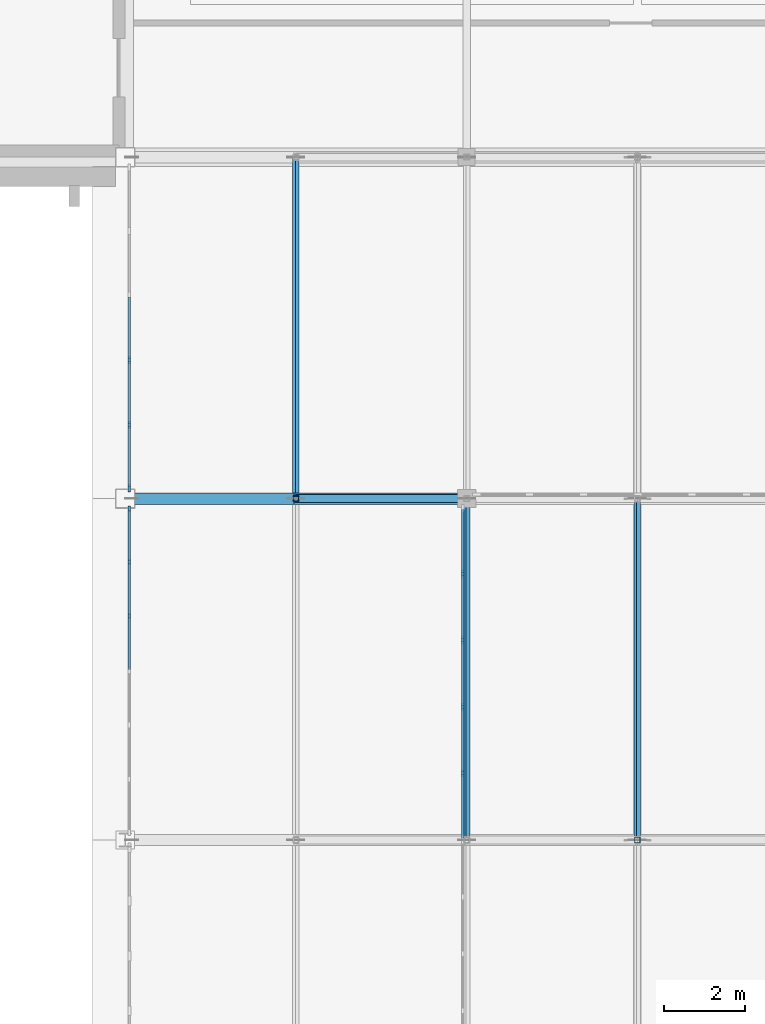
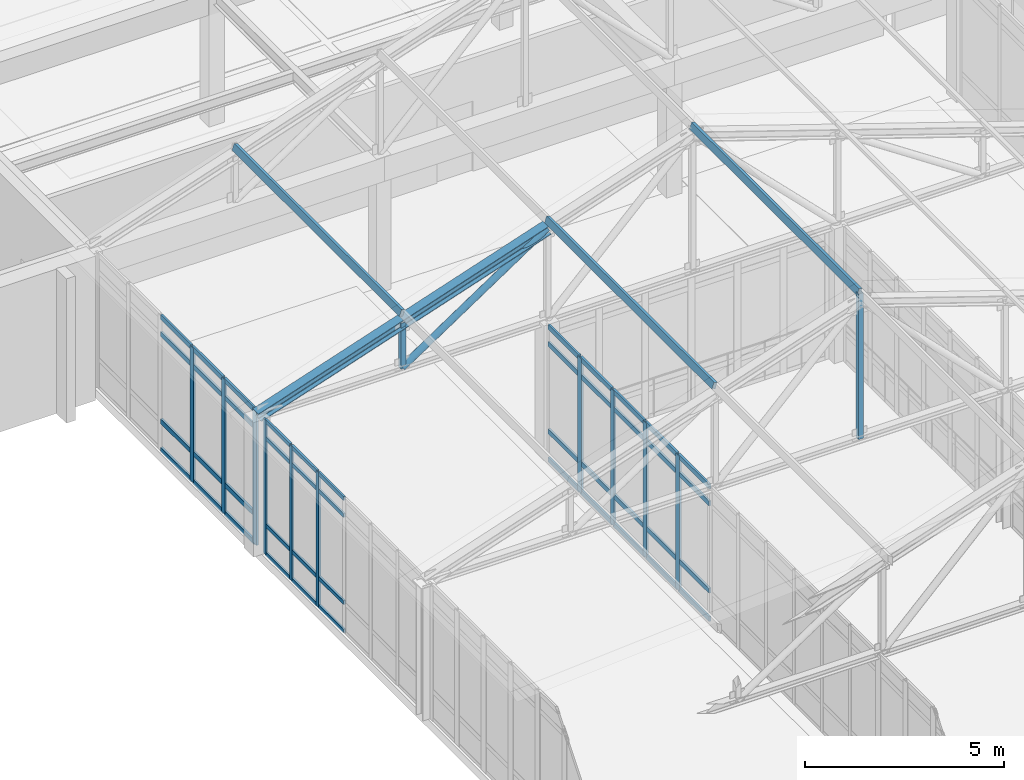
# One storey, part 77 of 192: 62 members, 3 elements without a shape of their own.
"""IFC4 building model written with IfcOpenShell, lengths in metres."""

from ifc_helpers import new_model, si_unit, direction, frame, origin, origin_2d, place, context, subcontext, project, spatial, rectangle, hollow_rectangle, hollow_circle, i_section, extrude, material, layer, layer_set, material_profile, profile_set, type_object, element, aggregate, save


model = new_model("IFC4")

# Units and contexts
model_context = context("Model", 3, precision=1e-05, world=origin(), true_north=direction((0.0, 1.0)))
body_context = subcontext(model_context, "Body", "Model", "MODEL_VIEW")
ifc_project = project(units=[si_unit("LENGTHUNIT", "METRE"), si_unit("AREAUNIT", "SQUARE_METRE"), si_unit("VOLUMEUNIT", "CUBIC_METRE"), si_unit("PLANEANGLEUNIT", "RADIAN"), si_unit("MASSUNIT", "GRAM", prefix="KILO")], contexts=[model_context])

# Site, building, storey
site_placement = place(None, origin())
site = spatial("IfcSite", under=ifc_project, at=site_placement, CompositionType="ELEMENT")
building_placement = place(site_placement, origin())
building = spatial("IfcBuilding", under=site, at=building_placement, Name="Kveldsbrygga Polytechnic", CompositionType="ELEMENT")
storey_placement = place(building_placement, frame((0.0, 0.0, 5.43994140625)))
storey = spatial("IfcBuildingStorey", under=building, at=storey_placement, Name="L01", CompositionType="ELEMENT", Elevation=5.43994140625)

# Curtain wall, members
ifc_material_1 = material(Name="Anodised aluminium AW-6060", Category="aluminium")
ifc_layer_1 = layer(ifc_material_1, 0.179931640625)
ifc_layer_set_1 = layer_set([ifc_layer_1], Name="Anodised aluminium AW-6060")
curtain_wall_type_1 = type_object("IfcCurtainWallType", Name="CW-CONC-A", PredefinedType="USERDEFINED", material=ifc_layer_set_1)
curtain_wall_1_placement = place(storey_placement, origin())
curtain_wall_1 = element("IfcCurtainWall", 1, at=curtain_wall_1_placement, inside=storey, type_object=curtain_wall_type_1, Name="Curtain Wall CW-L01-Y-06-08", ObjectType="UNITISED CURTAIN WALL", PredefinedType="USERDEFINED")
ifc_material_profile_1 = material_profile(ifc_material_1, rectangle(XDim=0.06005859375, YDim=0.139892578125, at=origin_2d()), Name="ALU 60x140")
ifc_profile_set_1 = profile_set([ifc_material_profile_1], Name="Anodised aluminium AW-6060")
member_type_1 = type_object("IfcMemberType", Name="CW-MUL-140", PredefinedType="MULLION", material=ifc_profile_set_1)
member_1_placement = place(storey_placement, frame((50.5, 72.70166015625, 0.0), z_axis=(0.0, 0.0, 1.0), x_axis=(-1.0, 0.0, 0.0)))
member_1 = element("IfcMember", 2, at=member_1_placement, type_object=member_type_1, Name="CW-01 mullion 5", PredefinedType="MULLION", context=body_context, shape_type="SweptSolid", body=[
    extrude(rectangle(XDim=0.06005859375, YDim=0.139892578125, at=origin_2d()), origin(), (0.0, 0.0, 1.0), 4.1201171875),
])
member_2_placement = place(storey_placement, frame((50.5, 74.038330078125, 0.0), z_axis=(0.0, 0.0, 1.0), x_axis=(-1.0, 0.0, 0.0)))
member_2 = element("IfcMember", 3, at=member_2_placement, type_object=member_type_1, Name="CW-01 mullion 6", PredefinedType="MULLION", context=body_context, shape_type="SweptSolid", body=[
    extrude(rectangle(XDim=0.06005859375, YDim=0.139892578125, at=origin_2d()), origin(), (0.0, 0.0, 1.0), 4.1201171875),
])
member_3_placement = place(storey_placement, frame((50.5, 75.344970703125, 0.0), z_axis=(0.0, 0.0, 1.0), x_axis=(-1.0, 0.0, 0.0)))
member_3 = element("IfcMember", 4, at=member_3_placement, type_object=member_type_1, Name="CW-01 mullion 7", PredefinedType="MULLION", context=body_context, shape_type="SweptSolid", body=[
    extrude(rectangle(XDim=0.06005859375, YDim=0.139892578125, at=origin_2d()), origin(), (0.0, 0.0, 1.0), 4.1201171875),
])

ifc_layer_2 = layer(ifc_material_1, 0.199951171875)
ifc_layer_set_2 = layer_set([ifc_layer_2], Name="Anodised aluminium AW-6060")
curtain_wall_type_2 = type_object("IfcCurtainWallType", Name="CW-CONC-B", PredefinedType="USERDEFINED", material=ifc_layer_set_2)
curtain_wall_2_placement = place(storey_placement, origin())
curtain_wall_2 = element("IfcCurtainWall", 5, at=curtain_wall_2_placement, inside=storey, type_object=curtain_wall_type_2, Name="Curtain Wall CW-L01-Y-07-08", ObjectType="UNITISED CURTAIN WALL", PredefinedType="USERDEFINED")
ifc_material_profile_2 = material_profile(ifc_material_1, rectangle(XDim=0.06005859375, YDim=0.179931640625, at=origin_2d()), Name="ALU 60x180")
ifc_profile_set_2 = profile_set([ifc_material_profile_2], Name="Anodised aluminium AW-6060")
member_type_2 = type_object("IfcMemberType", Name="CW-MUL-180", PredefinedType="MULLION", material=ifc_profile_set_2)
member_4_placement = place(storey_placement, frame((58.699951171875, 68.837890625, 0.0), z_axis=(0.0, 0.0, 1.0), x_axis=(-1.0, 0.0, 0.0)))
member_4 = element("IfcMember", 6, at=member_4_placement, type_object=member_type_2, Name="CW-02 mullion 2", PredefinedType="MULLION", context=body_context, shape_type="SweptSolid", body=[
    extrude(rectangle(XDim=0.06005859375, YDim=0.179931640625, at=origin_2d()), origin(), (0.0, 0.0, 1.0), 4.1201171875),
])
member_5_placement = place(storey_placement, frame((58.699951171875, 70.47607421875, 0.0), z_axis=(0.0, 0.0, 1.0), x_axis=(-1.0, 0.0, 0.0)))
member_5 = element("IfcMember", 7, at=member_5_placement, type_object=member_type_2, Name="CW-02 mullion 3", PredefinedType="MULLION", context=body_context, shape_type="SweptSolid", body=[
    extrude(rectangle(XDim=0.06005859375, YDim=0.179931640625, at=origin_2d()), origin(), (0.0, 0.0, 1.0), 4.1201171875),
])
member_6_placement = place(storey_placement, frame((58.699951171875, 72.114013671875, 0.0), z_axis=(0.0, 0.0, 1.0), x_axis=(-1.0, 0.0, 0.0)))
member_6 = element("IfcMember", 8, at=member_6_placement, type_object=member_type_2, Name="CW-02 mullion 4", PredefinedType="MULLION", context=body_context, shape_type="SweptSolid", body=[
    extrude(rectangle(XDim=0.06005859375, YDim=0.179931640625, at=origin_2d()), origin(), (0.0, 0.0, 1.0), 4.1201171875),
])
member_7_placement = place(storey_placement, frame((58.699951171875, 73.751953125, 0.0), z_axis=(0.0, 0.0, 1.0), x_axis=(-1.0, 0.0, 0.0)))
member_7 = element("IfcMember", 9, at=member_7_placement, type_object=member_type_2, Name="CW-02 mullion 5", PredefinedType="MULLION", context=body_context, shape_type="SweptSolid", body=[
    extrude(rectangle(XDim=0.06005859375, YDim=0.179931640625, at=origin_2d()), origin(), (0.0, 0.0, 1.0), 4.1201171875),
])

curtain_wall_3_placement = place(storey_placement, origin())
curtain_wall_3 = element("IfcCurtainWall", 10, at=curtain_wall_3_placement, inside=storey, type_object=curtain_wall_type_2, Name="Curtain Wall CW-L01-Y-06-09", ObjectType="UNITISED CURTAIN WALL", PredefinedType="USERDEFINED")
member_8_placement = place(storey_placement, frame((50.5, 75.85498046875, 0.0), z_axis=(0.0, 0.0, 1.0), x_axis=(-1.0, 0.0, 0.0)))
member_8 = element("IfcMember", 11, at=member_8_placement, type_object=member_type_2, Name="CW-02 mullion 1", PredefinedType="MULLION", context=body_context, shape_type="SweptSolid", body=[
    extrude(rectangle(XDim=0.06005859375, YDim=0.179931640625, at=origin_2d()), origin(), (0.0, 0.0, 1.0), 4.1201171875),
])
member_9_placement = place(storey_placement, frame((50.5, 77.4150390625, 0.0), z_axis=(0.0, 0.0, 1.0), x_axis=(-1.0, 0.0, 0.0)))
member_9 = element("IfcMember", 12, at=member_9_placement, type_object=member_type_2, Name="CW-02 mullion 2", PredefinedType="MULLION", context=body_context, shape_type="SweptSolid", body=[
    extrude(rectangle(XDim=0.06005859375, YDim=0.179931640625, at=origin_2d()), origin(), (0.0, 0.0, 1.0), 4.1201171875),
])
member_10_placement = place(storey_placement, frame((50.5, 79.0048828125, 0.0), z_axis=(0.0, 0.0, 1.0), x_axis=(-1.0, 0.0, 0.0)))
member_10 = element("IfcMember", 13, at=member_10_placement, type_object=member_type_2, Name="CW-02 mullion 3", PredefinedType="MULLION", context=body_context, shape_type="SweptSolid", body=[
    extrude(rectangle(XDim=0.06005859375, YDim=0.179931640625, at=origin_2d()), origin(), (0.0, 0.0, 1.0), 4.1201171875),
])

# Member
ifc_material_profile_3 = material_profile(ifc_material_1, rectangle(XDim=0.06005859375, YDim=0.1201171875, at=origin_2d()), Name="ALU 60x120")
ifc_profile_set_3 = profile_set([ifc_material_profile_3], Name="Anodised aluminium AW-6060")
member_type_3 = type_object("IfcMemberType", Name="CW-TRN-120", PredefinedType="USERDEFINED", material=ifc_profile_set_3)
member_11_placement = place(storey_placement, frame((50.5, 71.39501953125, 0.030029296875), z_axis=(0.0, 1.0, 0.0), x_axis=(-1.0, 0.0, 0.0)))
member_11 = element("IfcMember", 14, at=member_11_placement, type_object=member_type_3, Name="CW-01 transom 4.1", ObjectType="TRANSOM", PredefinedType="USERDEFINED", context=body_context, shape_type="SweptSolid", body=[
    extrude(rectangle(XDim=0.06005859375, YDim=0.1201171875, at=origin_2d()), origin(), (0.0, 0.0, 1.0), 1.276611328125),
])

member_12_placement = place(storey_placement, frame((50.5, 71.39501953125, 0.900146484375), z_axis=(0.0, 1.0, 0.0), x_axis=(-1.0, 0.0, 0.0)))
member_12 = element("IfcMember", 15, at=member_12_placement, type_object=member_type_3, Name="CW-01 transom 4.2", ObjectType="TRANSOM", PredefinedType="USERDEFINED", context=body_context, shape_type="SweptSolid", body=[
    extrude(rectangle(XDim=0.06005859375, YDim=0.1201171875, at=origin_2d()), origin(), (0.0, 0.0, 1.0), 1.276611328125),
])

member_13_placement = place(storey_placement, frame((50.5, 71.39501953125, 3.570068359375), z_axis=(0.0, 1.0, 0.0), x_axis=(-1.0, 0.0, 0.0)))
member_13 = element("IfcMember", 16, at=member_13_placement, type_object=member_type_3, Name="CW-01 transom 4.3", ObjectType="TRANSOM", PredefinedType="USERDEFINED", context=body_context, shape_type="SweptSolid", body=[
    extrude(rectangle(XDim=0.06005859375, YDim=0.1201171875, at=origin_2d()), origin(), (0.0, 0.0, 1.0), 1.276611328125),
])

member_14_placement = place(storey_placement, frame((50.5, 71.39501953125, 4.090087890625), z_axis=(0.0, 1.0, 0.0), x_axis=(-1.0, 0.0, 0.0)))
member_14 = element("IfcMember", 17, at=member_14_placement, type_object=member_type_3, Name="CW-01 transom 4.4", ObjectType="TRANSOM", PredefinedType="USERDEFINED", context=body_context, shape_type="SweptSolid", body=[
    extrude(rectangle(XDim=0.06005859375, YDim=0.1201171875, at=origin_2d()), origin(), (0.0, 0.0, 1.0), 1.276611328125),
])

member_15_placement = place(storey_placement, frame((50.5, 72.731689453125, 0.030029296875), z_axis=(0.0, 1.0, 0.0), x_axis=(-1.0, 0.0, 0.0)))
member_15 = element("IfcMember", 18, at=member_15_placement, type_object=member_type_3, Name="CW-01 transom 5.1", ObjectType="TRANSOM", PredefinedType="USERDEFINED", context=body_context, shape_type="SweptSolid", body=[
    extrude(rectangle(XDim=0.06005859375, YDim=0.1201171875, at=origin_2d()), origin(), (0.0, 0.0, 1.0), 1.276611328125),
])

member_16_placement = place(storey_placement, frame((50.5, 72.731689453125, 0.900146484375), z_axis=(0.0, 1.0, 0.0), x_axis=(-1.0, 0.0, 0.0)))
member_16 = element("IfcMember", 19, at=member_16_placement, type_object=member_type_3, Name="CW-01 transom 5.2", ObjectType="TRANSOM", PredefinedType="USERDEFINED", context=body_context, shape_type="SweptSolid", body=[
    extrude(rectangle(XDim=0.06005859375, YDim=0.1201171875, at=origin_2d()), origin(), (0.0, 0.0, 1.0), 1.276611328125),
])

member_17_placement = place(storey_placement, frame((50.5, 72.731689453125, 3.570068359375), z_axis=(0.0, 1.0, 0.0), x_axis=(-1.0, 0.0, 0.0)))
member_17 = element("IfcMember", 20, at=member_17_placement, type_object=member_type_3, Name="CW-01 transom 5.3", ObjectType="TRANSOM", PredefinedType="USERDEFINED", context=body_context, shape_type="SweptSolid", body=[
    extrude(rectangle(XDim=0.06005859375, YDim=0.1201171875, at=origin_2d()), origin(), (0.0, 0.0, 1.0), 1.276611328125),
])

member_18_placement = place(storey_placement, frame((50.5, 72.731689453125, 4.090087890625), z_axis=(0.0, 1.0, 0.0), x_axis=(-1.0, 0.0, 0.0)))
member_18 = element("IfcMember", 21, at=member_18_placement, type_object=member_type_3, Name="CW-01 transom 5.4", ObjectType="TRANSOM", PredefinedType="USERDEFINED", context=body_context, shape_type="SweptSolid", body=[
    extrude(rectangle(XDim=0.06005859375, YDim=0.1201171875, at=origin_2d()), origin(), (0.0, 0.0, 1.0), 1.276611328125),
])

member_19_placement = place(storey_placement, frame((50.5, 74.068359375, 0.030029296875), z_axis=(0.0, 1.0, 0.0), x_axis=(-1.0, 0.0, 0.0)))
member_19 = element("IfcMember", 22, at=member_19_placement, type_object=member_type_3, Name="CW-01 transom 6.1", ObjectType="TRANSOM", PredefinedType="USERDEFINED", context=body_context, shape_type="SweptSolid", body=[
    extrude(rectangle(XDim=0.06005859375, YDim=0.1201171875, at=origin_2d()), origin(), (0.0, 0.0, 1.0), 1.24658203125),
])

member_20_placement = place(storey_placement, frame((50.5, 74.068359375, 0.900146484375), z_axis=(0.0, 1.0, 0.0), x_axis=(-1.0, 0.0, 0.0)))
member_20 = element("IfcMember", 23, at=member_20_placement, type_object=member_type_3, Name="CW-01 transom 6.2", ObjectType="TRANSOM", PredefinedType="USERDEFINED", context=body_context, shape_type="SweptSolid", body=[
    extrude(rectangle(XDim=0.06005859375, YDim=0.1201171875, at=origin_2d()), origin(), (0.0, 0.0, 1.0), 1.24658203125),
])

member_21_placement = place(storey_placement, frame((50.5, 74.068359375, 3.570068359375), z_axis=(0.0, 1.0, 0.0), x_axis=(-1.0, 0.0, 0.0)))
member_21 = element("IfcMember", 24, at=member_21_placement, type_object=member_type_3, Name="CW-01 transom 6.3", ObjectType="TRANSOM", PredefinedType="USERDEFINED", context=body_context, shape_type="SweptSolid", body=[
    extrude(rectangle(XDim=0.06005859375, YDim=0.1201171875, at=origin_2d()), origin(), (0.0, 0.0, 1.0), 1.24658203125),
])

member_22_placement = place(storey_placement, frame((50.5, 74.068359375, 4.090087890625), z_axis=(0.0, 1.0, 0.0), x_axis=(-1.0, 0.0, 0.0)))
member_22 = element("IfcMember", 25, at=member_22_placement, type_object=member_type_3, Name="CW-01 transom 6.4", ObjectType="TRANSOM", PredefinedType="USERDEFINED", context=body_context, shape_type="SweptSolid", body=[
    extrude(rectangle(XDim=0.06005859375, YDim=0.1201171875, at=origin_2d()), origin(), (0.0, 0.0, 1.0), 1.24658203125),
])

aggregate(curtain_wall_1, [member_1, member_2, member_3, member_11, member_12, member_13, member_14, member_15, member_16, member_17, member_18, member_19, member_20, member_21, member_22])

ifc_material_profile_4 = material_profile(ifc_material_1, rectangle(XDim=0.06005859375, YDim=0.14990234375, at=origin_2d()), Name="ALU 60x150")
ifc_profile_set_4 = profile_set([ifc_material_profile_4], Name="Anodised aluminium AW-6060")
member_type_4 = type_object("IfcMemberType", Name="CW-TRN-150", PredefinedType="USERDEFINED", material=ifc_profile_set_4)
member_23_placement = place(storey_placement, frame((58.699951171875, 67.260009765625, 0.030029296875), z_axis=(0.0, 1.0, 0.0), x_axis=(-1.0, 0.0, 0.0)))
member_23 = element("IfcMember", 26, at=member_23_placement, type_object=member_type_4, Name="CW-02 transom 1.1", ObjectType="TRANSOM", PredefinedType="USERDEFINED", context=body_context, shape_type="SweptSolid", body=[
    extrude(rectangle(XDim=0.06005859375, YDim=0.14990234375, at=origin_2d()), origin(), (0.0, 0.0, 1.0), 1.548095703125),
])

member_24_placement = place(storey_placement, frame((58.699951171875, 67.260009765625, 0.900146484375), z_axis=(0.0, 1.0, 0.0), x_axis=(-1.0, 0.0, 0.0)))
member_24 = element("IfcMember", 27, at=member_24_placement, type_object=member_type_4, Name="CW-02 transom 1.2", ObjectType="TRANSOM", PredefinedType="USERDEFINED", context=body_context, shape_type="SweptSolid", body=[
    extrude(rectangle(XDim=0.06005859375, YDim=0.14990234375, at=origin_2d()), origin(), (0.0, 0.0, 1.0), 1.548095703125),
])

member_25_placement = place(storey_placement, frame((58.699951171875, 67.260009765625, 3.570068359375), z_axis=(0.0, 1.0, 0.0), x_axis=(-1.0, 0.0, 0.0)))
member_25 = element("IfcMember", 28, at=member_25_placement, type_object=member_type_4, Name="CW-02 transom 1.3", ObjectType="TRANSOM", PredefinedType="USERDEFINED", context=body_context, shape_type="SweptSolid", body=[
    extrude(rectangle(XDim=0.06005859375, YDim=0.14990234375, at=origin_2d()), origin(), (0.0, 0.0, 1.0), 1.548095703125),
])

member_26_placement = place(storey_placement, frame((58.699951171875, 67.260009765625, 4.090087890625), z_axis=(0.0, 1.0, 0.0), x_axis=(-1.0, 0.0, 0.0)))
member_26 = element("IfcMember", 29, at=member_26_placement, type_object=member_type_4, Name="CW-02 transom 1.4", ObjectType="TRANSOM", PredefinedType="USERDEFINED", context=body_context, shape_type="SweptSolid", body=[
    extrude(rectangle(XDim=0.06005859375, YDim=0.14990234375, at=origin_2d()), origin(), (0.0, 0.0, 1.0), 1.548095703125),
])

member_27_placement = place(storey_placement, frame((58.699951171875, 68.867919921875, 0.030029296875), z_axis=(0.0, 1.0, 0.0), x_axis=(-1.0, 0.0, 0.0)))
member_27 = element("IfcMember", 30, at=member_27_placement, type_object=member_type_4, Name="CW-02 transom 2.1", ObjectType="TRANSOM", PredefinedType="USERDEFINED", context=body_context, shape_type="SweptSolid", body=[
    extrude(rectangle(XDim=0.06005859375, YDim=0.14990234375, at=origin_2d()), origin(), (0.0, 0.0, 1.0), 1.578125),
])

member_28_placement = place(storey_placement, frame((58.699951171875, 68.867919921875, 0.900146484375), z_axis=(0.0, 1.0, 0.0), x_axis=(-1.0, 0.0, 0.0)))
member_28 = element("IfcMember", 31, at=member_28_placement, type_object=member_type_4, Name="CW-02 transom 2.2", ObjectType="TRANSOM", PredefinedType="USERDEFINED", context=body_context, shape_type="SweptSolid", body=[
    extrude(rectangle(XDim=0.06005859375, YDim=0.14990234375, at=origin_2d()), origin(), (0.0, 0.0, 1.0), 1.578125),
])

member_29_placement = place(storey_placement, frame((58.699951171875, 68.867919921875, 3.570068359375), z_axis=(0.0, 1.0, 0.0), x_axis=(-1.0, 0.0, 0.0)))
member_29 = element("IfcMember", 32, at=member_29_placement, type_object=member_type_4, Name="CW-02 transom 2.3", ObjectType="TRANSOM", PredefinedType="USERDEFINED", context=body_context, shape_type="SweptSolid", body=[
    extrude(rectangle(XDim=0.06005859375, YDim=0.14990234375, at=origin_2d()), origin(), (0.0, 0.0, 1.0), 1.578125),
])

member_30_placement = place(storey_placement, frame((58.699951171875, 68.867919921875, 4.090087890625), z_axis=(0.0, 1.0, 0.0), x_axis=(-1.0, 0.0, 0.0)))
member_30 = element("IfcMember", 33, at=member_30_placement, type_object=member_type_4, Name="CW-02 transom 2.4", ObjectType="TRANSOM", PredefinedType="USERDEFINED", context=body_context, shape_type="SweptSolid", body=[
    extrude(rectangle(XDim=0.06005859375, YDim=0.14990234375, at=origin_2d()), origin(), (0.0, 0.0, 1.0), 1.578125),
])

member_31_placement = place(storey_placement, frame((58.699951171875, 70.506103515625, 0.030029296875), z_axis=(0.0, 1.0, 0.0), x_axis=(-1.0, 0.0, 0.0)))
member_31 = element("IfcMember", 34, at=member_31_placement, type_object=member_type_4, Name="CW-02 transom 3.1", ObjectType="TRANSOM", PredefinedType="USERDEFINED", context=body_context, shape_type="SweptSolid", body=[
    extrude(rectangle(XDim=0.06005859375, YDim=0.14990234375, at=origin_2d()), origin(), (0.0, 0.0, 1.0), 1.577880859375),
])

member_32_placement = place(storey_placement, frame((58.699951171875, 70.506103515625, 0.900146484375), z_axis=(0.0, 1.0, 0.0), x_axis=(-1.0, 0.0, 0.0)))
member_32 = element("IfcMember", 35, at=member_32_placement, type_object=member_type_4, Name="CW-02 transom 3.2", ObjectType="TRANSOM", PredefinedType="USERDEFINED", context=body_context, shape_type="SweptSolid", body=[
    extrude(rectangle(XDim=0.06005859375, YDim=0.14990234375, at=origin_2d()), origin(), (0.0, 0.0, 1.0), 1.577880859375),
])

member_33_placement = place(storey_placement, frame((58.699951171875, 70.506103515625, 3.570068359375), z_axis=(0.0, 1.0, 0.0), x_axis=(-1.0, 0.0, 0.0)))
member_33 = element("IfcMember", 36, at=member_33_placement, type_object=member_type_4, Name="CW-02 transom 3.3", ObjectType="TRANSOM", PredefinedType="USERDEFINED", context=body_context, shape_type="SweptSolid", body=[
    extrude(rectangle(XDim=0.06005859375, YDim=0.14990234375, at=origin_2d()), origin(), (0.0, 0.0, 1.0), 1.577880859375),
])

member_34_placement = place(storey_placement, frame((58.699951171875, 70.506103515625, 4.090087890625), z_axis=(0.0, 1.0, 0.0), x_axis=(-1.0, 0.0, 0.0)))
member_34 = element("IfcMember", 37, at=member_34_placement, type_object=member_type_4, Name="CW-02 transom 3.4", ObjectType="TRANSOM", PredefinedType="USERDEFINED", context=body_context, shape_type="SweptSolid", body=[
    extrude(rectangle(XDim=0.06005859375, YDim=0.14990234375, at=origin_2d()), origin(), (0.0, 0.0, 1.0), 1.577880859375),
])

member_35_placement = place(storey_placement, frame((58.699951171875, 72.14404296875, 0.030029296875), z_axis=(0.0, 1.0, 0.0), x_axis=(-1.0, 0.0, 0.0)))
member_35 = element("IfcMember", 38, at=member_35_placement, type_object=member_type_4, Name="CW-02 transom 4.1", ObjectType="TRANSOM", PredefinedType="USERDEFINED", context=body_context, shape_type="SweptSolid", body=[
    extrude(rectangle(XDim=0.06005859375, YDim=0.14990234375, at=origin_2d()), origin(), (0.0, 0.0, 1.0), 1.577880859375),
])

member_36_placement = place(storey_placement, frame((58.699951171875, 72.14404296875, 0.900146484375), z_axis=(0.0, 1.0, 0.0), x_axis=(-1.0, 0.0, 0.0)))
member_36 = element("IfcMember", 39, at=member_36_placement, type_object=member_type_4, Name="CW-02 transom 4.2", ObjectType="TRANSOM", PredefinedType="USERDEFINED", context=body_context, shape_type="SweptSolid", body=[
    extrude(rectangle(XDim=0.06005859375, YDim=0.14990234375, at=origin_2d()), origin(), (0.0, 0.0, 1.0), 1.577880859375),
])

member_37_placement = place(storey_placement, frame((58.699951171875, 72.14404296875, 3.570068359375), z_axis=(0.0, 1.0, 0.0), x_axis=(-1.0, 0.0, 0.0)))
member_37 = element("IfcMember", 40, at=member_37_placement, type_object=member_type_4, Name="CW-02 transom 4.3", ObjectType="TRANSOM", PredefinedType="USERDEFINED", context=body_context, shape_type="SweptSolid", body=[
    extrude(rectangle(XDim=0.06005859375, YDim=0.14990234375, at=origin_2d()), origin(), (0.0, 0.0, 1.0), 1.577880859375),
])

member_38_placement = place(storey_placement, frame((58.699951171875, 72.14404296875, 4.090087890625), z_axis=(0.0, 1.0, 0.0), x_axis=(-1.0, 0.0, 0.0)))
member_38 = element("IfcMember", 41, at=member_38_placement, type_object=member_type_4, Name="CW-02 transom 4.4", ObjectType="TRANSOM", PredefinedType="USERDEFINED", context=body_context, shape_type="SweptSolid", body=[
    extrude(rectangle(XDim=0.06005859375, YDim=0.14990234375, at=origin_2d()), origin(), (0.0, 0.0, 1.0), 1.577880859375),
])

member_39_placement = place(storey_placement, frame((58.699951171875, 73.781982421875, 0.030029296875), z_axis=(0.0, 1.0, 0.0), x_axis=(-1.0, 0.0, 0.0)))
member_39 = element("IfcMember", 42, at=member_39_placement, type_object=member_type_4, Name="CW-02 transom 5.1", ObjectType="TRANSOM", PredefinedType="USERDEFINED", context=body_context, shape_type="SweptSolid", body=[
    extrude(rectangle(XDim=0.06005859375, YDim=0.14990234375, at=origin_2d()), origin(), (0.0, 0.0, 1.0), 1.548095703125),
])

member_40_placement = place(storey_placement, frame((58.699951171875, 73.781982421875, 0.900146484375), z_axis=(0.0, 1.0, 0.0), x_axis=(-1.0, 0.0, 0.0)))
member_40 = element("IfcMember", 43, at=member_40_placement, type_object=member_type_4, Name="CW-02 transom 5.2", ObjectType="TRANSOM", PredefinedType="USERDEFINED", context=body_context, shape_type="SweptSolid", body=[
    extrude(rectangle(XDim=0.06005859375, YDim=0.14990234375, at=origin_2d()), origin(), (0.0, 0.0, 1.0), 1.548095703125),
])

member_41_placement = place(storey_placement, frame((58.699951171875, 73.781982421875, 3.570068359375), z_axis=(0.0, 1.0, 0.0), x_axis=(-1.0, 0.0, 0.0)))
member_41 = element("IfcMember", 44, at=member_41_placement, type_object=member_type_4, Name="CW-02 transom 5.3", ObjectType="TRANSOM", PredefinedType="USERDEFINED", context=body_context, shape_type="SweptSolid", body=[
    extrude(rectangle(XDim=0.06005859375, YDim=0.14990234375, at=origin_2d()), origin(), (0.0, 0.0, 1.0), 1.548095703125),
])

member_42_placement = place(storey_placement, frame((58.699951171875, 73.781982421875, 4.090087890625), z_axis=(0.0, 1.0, 0.0), x_axis=(-1.0, 0.0, 0.0)))
member_42 = element("IfcMember", 45, at=member_42_placement, type_object=member_type_4, Name="CW-02 transom 5.4", ObjectType="TRANSOM", PredefinedType="USERDEFINED", context=body_context, shape_type="SweptSolid", body=[
    extrude(rectangle(XDim=0.06005859375, YDim=0.14990234375, at=origin_2d()), origin(), (0.0, 0.0, 1.0), 1.548095703125),
])

aggregate(curtain_wall_2, [member_4, member_5, member_6, member_7, member_23, member_24, member_25, member_26, member_27, member_28, member_29, member_30, member_31, member_32, member_33, member_34, member_35, member_36, member_37, member_38, member_39, member_40, member_41, member_42])

member_43_placement = place(storey_placement, frame((50.5, 75.885009765625, 0.030029296875), z_axis=(0.0, 1.0, 0.0), x_axis=(-1.0, 0.0, 0.0)))
member_43 = element("IfcMember", 46, at=member_43_placement, type_object=member_type_4, Name="CW-02 transom 1.1", ObjectType="TRANSOM", PredefinedType="USERDEFINED", context=body_context, shape_type="SweptSolid", body=[
    extrude(rectangle(XDim=0.06005859375, YDim=0.14990234375, at=origin_2d()), origin(), (0.0, 0.0, 1.0), 1.5),
])

member_44_placement = place(storey_placement, frame((50.5, 75.885009765625, 0.900146484375), z_axis=(0.0, 1.0, 0.0), x_axis=(-1.0, 0.0, 0.0)))
member_44 = element("IfcMember", 47, at=member_44_placement, type_object=member_type_4, Name="CW-02 transom 1.2", ObjectType="TRANSOM", PredefinedType="USERDEFINED", context=body_context, shape_type="SweptSolid", body=[
    extrude(rectangle(XDim=0.06005859375, YDim=0.14990234375, at=origin_2d()), origin(), (0.0, 0.0, 1.0), 1.5),
])

member_45_placement = place(storey_placement, frame((50.5, 75.885009765625, 3.570068359375), z_axis=(0.0, 1.0, 0.0), x_axis=(-1.0, 0.0, 0.0)))
member_45 = element("IfcMember", 48, at=member_45_placement, type_object=member_type_4, Name="CW-02 transom 1.3", ObjectType="TRANSOM", PredefinedType="USERDEFINED", context=body_context, shape_type="SweptSolid", body=[
    extrude(rectangle(XDim=0.06005859375, YDim=0.14990234375, at=origin_2d()), origin(), (0.0, 0.0, 1.0), 1.5),
])

member_46_placement = place(storey_placement, frame((50.5, 75.885009765625, 4.090087890625), z_axis=(0.0, 1.0, 0.0), x_axis=(-1.0, 0.0, 0.0)))
member_46 = element("IfcMember", 49, at=member_46_placement, type_object=member_type_4, Name="CW-02 transom 1.4", ObjectType="TRANSOM", PredefinedType="USERDEFINED", context=body_context, shape_type="SweptSolid", body=[
    extrude(rectangle(XDim=0.06005859375, YDim=0.14990234375, at=origin_2d()), origin(), (0.0, 0.0, 1.0), 1.5),
])

member_47_placement = place(storey_placement, frame((50.5, 77.445068359375, 0.030029296875), z_axis=(0.0, 1.0, 0.0), x_axis=(-1.0, 0.0, 0.0)))
member_47 = element("IfcMember", 50, at=member_47_placement, type_object=member_type_4, Name="CW-02 transom 2.1", ObjectType="TRANSOM", PredefinedType="USERDEFINED", context=body_context, shape_type="SweptSolid", body=[
    extrude(rectangle(XDim=0.06005859375, YDim=0.14990234375, at=origin_2d()), origin(), (0.0, 0.0, 1.0), 1.530029296875),
])

member_48_placement = place(storey_placement, frame((50.5, 77.445068359375, 0.900146484375), z_axis=(0.0, 1.0, 0.0), x_axis=(-1.0, 0.0, 0.0)))
member_48 = element("IfcMember", 51, at=member_48_placement, type_object=member_type_4, Name="CW-02 transom 2.2", ObjectType="TRANSOM", PredefinedType="USERDEFINED", context=body_context, shape_type="SweptSolid", body=[
    extrude(rectangle(XDim=0.06005859375, YDim=0.14990234375, at=origin_2d()), origin(), (0.0, 0.0, 1.0), 1.530029296875),
])

member_49_placement = place(storey_placement, frame((50.5, 77.445068359375, 3.570068359375), z_axis=(0.0, 1.0, 0.0), x_axis=(-1.0, 0.0, 0.0)))
member_49 = element("IfcMember", 52, at=member_49_placement, type_object=member_type_4, Name="CW-02 transom 2.3", ObjectType="TRANSOM", PredefinedType="USERDEFINED", context=body_context, shape_type="SweptSolid", body=[
    extrude(rectangle(XDim=0.06005859375, YDim=0.14990234375, at=origin_2d()), origin(), (0.0, 0.0, 1.0), 1.530029296875),
])

member_50_placement = place(storey_placement, frame((50.5, 77.445068359375, 4.090087890625), z_axis=(0.0, 1.0, 0.0), x_axis=(-1.0, 0.0, 0.0)))
member_50 = element("IfcMember", 53, at=member_50_placement, type_object=member_type_4, Name="CW-02 transom 2.4", ObjectType="TRANSOM", PredefinedType="USERDEFINED", context=body_context, shape_type="SweptSolid", body=[
    extrude(rectangle(XDim=0.06005859375, YDim=0.14990234375, at=origin_2d()), origin(), (0.0, 0.0, 1.0), 1.530029296875),
])

member_51_placement = place(storey_placement, frame((50.5, 79.034912109375, 0.030029296875), z_axis=(0.0, 1.0, 0.0), x_axis=(-1.0, 0.0, 0.0)))
member_51 = element("IfcMember", 54, at=member_51_placement, type_object=member_type_4, Name="CW-02 transom 3.1", ObjectType="TRANSOM", PredefinedType="USERDEFINED", context=body_context, shape_type="SweptSolid", body=[
    extrude(rectangle(XDim=0.06005859375, YDim=0.14990234375, at=origin_2d()), origin(), (0.0, 0.0, 1.0), 1.530029296875),
])

member_52_placement = place(storey_placement, frame((50.5, 79.034912109375, 0.900146484375), z_axis=(0.0, 1.0, 0.0), x_axis=(-1.0, 0.0, 0.0)))
member_52 = element("IfcMember", 55, at=member_52_placement, type_object=member_type_4, Name="CW-02 transom 3.2", ObjectType="TRANSOM", PredefinedType="USERDEFINED", context=body_context, shape_type="SweptSolid", body=[
    extrude(rectangle(XDim=0.06005859375, YDim=0.14990234375, at=origin_2d()), origin(), (0.0, 0.0, 1.0), 1.530029296875),
])

member_53_placement = place(storey_placement, frame((50.5, 79.034912109375, 3.570068359375), z_axis=(0.0, 1.0, 0.0), x_axis=(-1.0, 0.0, 0.0)))
member_53 = element("IfcMember", 56, at=member_53_placement, type_object=member_type_4, Name="CW-02 transom 3.3", ObjectType="TRANSOM", PredefinedType="USERDEFINED", context=body_context, shape_type="SweptSolid", body=[
    extrude(rectangle(XDim=0.06005859375, YDim=0.14990234375, at=origin_2d()), origin(), (0.0, 0.0, 1.0), 1.530029296875),
])

member_54_placement = place(storey_placement, frame((50.5, 79.034912109375, 4.090087890625), z_axis=(0.0, 1.0, 0.0), x_axis=(-1.0, 0.0, 0.0)))
member_54 = element("IfcMember", 57, at=member_54_placement, type_object=member_type_4, Name="CW-02 transom 3.4", ObjectType="TRANSOM", PredefinedType="USERDEFINED", context=body_context, shape_type="SweptSolid", body=[
    extrude(rectangle(XDim=0.06005859375, YDim=0.14990234375, at=origin_2d()), origin(), (0.0, 0.0, 1.0), 1.530029296875),
])

aggregate(curtain_wall_3, [member_8, member_9, member_10, member_43, member_44, member_45, member_46, member_47, member_48, member_49, member_50, member_51, member_52, member_53, member_54])

# Members
ifc_material_2 = material(Name="Steel S355", Category="steel")
ifc_material_profile_5 = material_profile(ifc_material_2, hollow_rectangle(XDim=0.10009765625, YDim=0.199951171875, WallThickness=0.010009765625, at=origin_2d()), Name="RHS 200x100x10.0")
ifc_profile_set_5 = profile_set([ifc_material_profile_5], Name="Steel S355")
member_type_5 = type_object("IfcMemberType", Name="PRL-RHS200", PredefinedType="PURLIN", material=ifc_profile_set_5)
for number, where, z_axis, x_axis, name in (
    (58, (58.800048828125, 67.199951171875, 7.173095703125), (0.0, 1.0, 0.0), (-0.948683567514, 0.0, 0.316226957624), "Roof Purlin V5C-PRL-8-2"),
    (59, (63.0, 67.199951171875, 8.572998046875), (0.0, 1.0, 0.0), (-0.948683567514, 0.0, 0.316226957624), "Roof Purlin V5C-PRL-8-3"),
):
    element("IfcMember", number, at=place(storey_placement, frame(where, z_axis=z_axis, x_axis=x_axis)), inside=storey, type_object=member_type_5, Name=name, PredefinedType="PURLIN", context=body_context, shape_type="SweptSolid", body=[
        extrude(hollow_rectangle(XDim=0.10009765625, YDim=0.199951171875, WallThickness=0.010009765625, at=origin_2d()), origin(), (0.0, 0.0, 1.0), 8.400146484375),
    ])
member_55_placement = place(storey_placement, frame((54.60009765625, 75.60009765625, 5.77294921875), z_axis=(0.0, 1.0, 0.0), x_axis=(-0.948683567514, 0.0, 0.316226957624)))
element("IfcMember", 60, at=member_55_placement, inside=storey, type_object=member_type_5, Name="Roof Purlin V5C-PRL-9-1", PredefinedType="PURLIN", context=body_context, shape_type="SweptSolid", body=[
    extrude(hollow_rectangle(XDim=0.10009765625, YDim=0.199951171875, WallThickness=0.010009765625, at=origin_2d()), origin(), (0.0, 0.0, 1.0), 8.39990234375),
])
ifc_material_profile_6 = material_profile(ifc_material_2, hollow_circle(Radius=0.096923828125, WallThickness=0.010009765625, at=origin_2d()), Name="CHS 193.7x10.0")
ifc_profile_set_6 = profile_set([ifc_material_profile_6], Name="Steel S355")
member_type_6 = type_object("IfcMemberType", Name="TR-DIAG-CHS194", PredefinedType="BRACE", material=ifc_profile_set_6)
member_56_placement = place(storey_placement, frame((54.60009765625, 75.60009765625, 4.1201171875), z_axis=(0.832042853317, 0.0, 0.554711357594), x_axis=(0.0, 1.0, 0.0)))
element("IfcMember", 61, at=member_56_placement, inside=storey, type_object=member_type_6, Name="Truss Diagonal V5C-T09-DG-2", PredefinedType="BRACE", context=body_context, shape_type="SweptSolid", body=[
    extrude(hollow_circle(Radius=0.096923828125, WallThickness=0.010009765625, at=origin_2d()), origin(), (0.0, 0.0, 1.0), 5.0478515625),
])
ifc_material_profile_7 = material_profile(ifc_material_2, hollow_rectangle(XDim=0.139892578125, YDim=0.139892578125, WallThickness=0.008056640625, at=origin_2d()), Name="SHS 140x140x8.0")
ifc_profile_set_7 = profile_set([ifc_material_profile_7], Name="Steel S355")
member_type_7 = type_object("IfcMemberType", Name="TR-POST-SHS140", PredefinedType="STRUT", material=ifc_profile_set_7)
member_57_placement = place(storey_placement, frame((63.0, 67.199951171875, 4.1201171875), z_axis=(0.0, 0.0, 1.0), x_axis=(1.0, 0.0, 0.0)))
element("IfcMember", 62, at=member_57_placement, inside=storey, type_object=member_type_7, Name="Truss Vertical V5C-T08-VT-3", PredefinedType="STRUT", context=body_context, shape_type="SweptSolid", body=[
    extrude(hollow_rectangle(XDim=0.139892578125, YDim=0.139892578125, WallThickness=0.008056640625, at=origin_2d()), origin(), (0.0, 0.0, 1.0), 4.452880859375),
])
member_58_placement = place(storey_placement, frame((54.60009765625, 75.60009765625, 4.1201171875), z_axis=(0.0, 0.0, 1.0), x_axis=(1.0, 0.0, 0.0)))
element("IfcMember", 63, at=member_58_placement, inside=storey, type_object=member_type_7, Name="Truss Vertical V5C-T09-VT-1", PredefinedType="STRUT", context=body_context, shape_type="SweptSolid", body=[
    extrude(hollow_rectangle(XDim=0.139892578125, YDim=0.139892578125, WallThickness=0.008056640625, at=origin_2d()), origin(), (0.0, 0.0, 1.0), 1.39990234375),
])
ifc_material_profile_8 = material_profile(ifc_material_2, i_section(OverallWidth=0.280029296875, OverallDepth=0.280029296875, WebThickness=0.010498046875, FlangeThickness=0.01806640625, FilletRadius=0.02392578125, at=origin_2d()), Name="HEB 280")
ifc_profile_set_8 = profile_set([ifc_material_profile_8], Name="Steel S355")
member_type_8 = type_object("IfcMemberType", Name="TR-TOP-HEB280", PredefinedType="CHORD", material=ifc_profile_set_8)
for number, where, z_axis, x_axis, name in (
    (64, (50.39990234375, 75.60009765625, 4.1201171875), (0.948694326238, 0.0, 0.316194679531), (0.0, 1.0, 0.0), "Truss Top Chord V5C-T09-TC-1"),
    (65, (54.60009765625, 75.60009765625, 5.52001953125), (0.948672268324, 0.0, 0.316260853272), (0.0, 1.0, 0.0), "Truss Top Chord V5C-T09-TC-2"),
):
    element("IfcMember", number, at=place(storey_placement, frame(where, z_axis=z_axis, x_axis=x_axis)), inside=storey, type_object=member_type_8, Name=name, PredefinedType="CHORD", context=body_context, shape_type="SweptSolid", body=[
        extrude(i_section(OverallWidth=0.280029296875, OverallDepth=0.280029296875, WebThickness=0.010498046875, FlangeThickness=0.01806640625, FilletRadius=0.02392578125, at=origin_2d()), origin(), (0.0, 0.0, 1.0), 4.42724609375),
    ])

save(model, "model.ifc")
